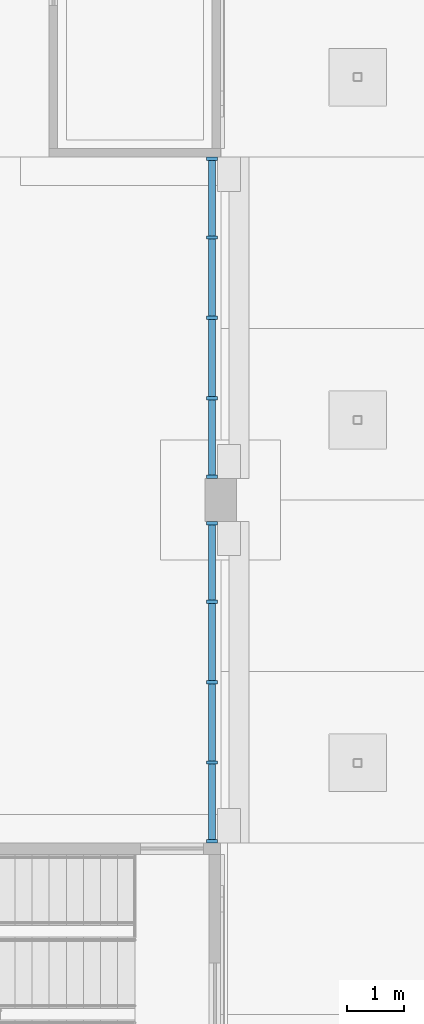
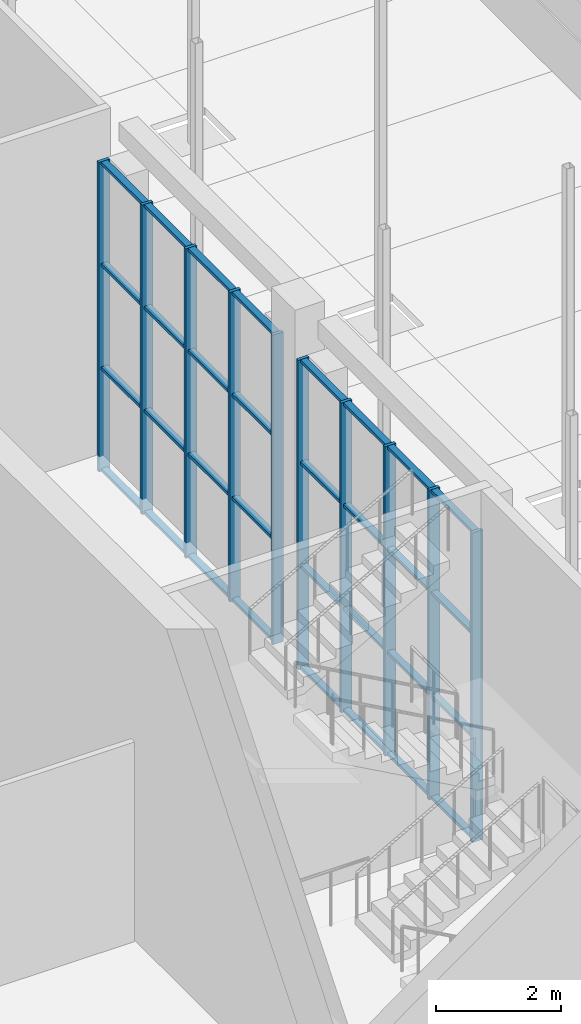
# One storey, part 23 of 95: 42 members, 2 elements without a shape of their own.
"""IFC4 building model written with IfcOpenShell, lengths in metres."""

from ifc_helpers import new_model, si_unit, direction, frame, origin, origin_2d, place, context, subcontext, project, spatial, rectangle, extrude, material, material_profile, profile_set, type_object, element, aggregate, save


model = new_model("IFC4")

# Units and contexts
model_context = context("Model", 3, precision=1e-05, world=origin(), true_north=direction((0.0, 1.0)))
body_context = subcontext(model_context, "Body", "Model", "MODEL_VIEW")
ifc_project = project(units=[si_unit("LENGTHUNIT", "METRE"), si_unit("AREAUNIT", "SQUARE_METRE"), si_unit("VOLUMEUNIT", "CUBIC_METRE"), si_unit("PLANEANGLEUNIT", "RADIAN"), si_unit("MASSUNIT", "GRAM", prefix="KILO")], contexts=[model_context])

# Site, building, storey
site_placement = place(None, origin())
site = spatial("IfcSite", under=ifc_project, at=site_placement, CompositionType="ELEMENT")
building_placement = place(site_placement, origin())
building = spatial("IfcBuilding", under=site, at=building_placement, Name="Saffron Lane Theatres", CompositionType="ELEMENT")
storey_placement = place(building_placement, origin())
storey = spatial("IfcBuildingStorey", under=building, at=storey_placement, Name="L00", CompositionType="ELEMENT", Elevation=0.0)

# Curtain wall, members
ifc_material_1 = material(Name="Aluminium", Category="aluminium")
curtain_wall_type = type_object("IfcCurtainWallType", Name="EX-CURTAIN WALL 5620x6050x200", PredefinedType="NOTDEFINED", material=ifc_material_1)
curtain_wall_1_placement = place(storey_placement, origin())
curtain_wall_1 = element("IfcCurtainWall", 1, at=curtain_wall_1_placement, inside=storey, type_object=curtain_wall_type, Name="Curtain wall L00 07", PredefinedType="NOTDEFINED")
ifc_material_2 = material(Name="Aluminium", Category="aluminium")
ifc_material_profile_1 = material_profile(ifc_material_2, rectangle(XDim=0.06005859375, YDim=0.199951171875, at=origin_2d()))
ifc_profile_set_1 = profile_set([ifc_material_profile_1], Name="Aluminium")
member_type_1 = type_object("IfcMemberType", Name="EX-CW MULLION 60x200", PredefinedType="MULLION", material=ifc_profile_set_1)
member_1_placement = place(storey_placement, frame((53.85009765625, 53.969970703125, 0.0), z_axis=(0.0, 0.0, 1.0), x_axis=(0.0, -1.0, 0.0)))
member_1 = element("IfcMember", 2, at=member_1_placement, type_object=member_type_1, Name="CW-00-07 mullion 1", PredefinedType="MULLION", context=body_context, shape_type="SweptSolid", body=[
    extrude(rectangle(XDim=0.06005859375, YDim=0.199951171875, at=origin_2d()), origin(), (0.0, 0.0, 1.0), 6.050048828125),
])
member_2_placement = place(storey_placement, frame((53.85009765625, 52.59375, 0.0), z_axis=(0.0, 0.0, 1.0), x_axis=(0.0, -1.0, 0.0)))
member_2 = element("IfcMember", 3, at=member_2_placement, type_object=member_type_1, Name="CW-00-07 mullion 2", PredefinedType="MULLION", context=body_context, shape_type="SweptSolid", body=[
    extrude(rectangle(XDim=0.06005859375, YDim=0.199951171875, at=origin_2d()), origin(), (0.0, 0.0, 1.0), 6.050048828125),
])
member_3_placement = place(storey_placement, frame((53.85009765625, 51.1875, 0.0), z_axis=(0.0, 0.0, 1.0), x_axis=(0.0, -1.0, 0.0)))
member_3 = element("IfcMember", 4, at=member_3_placement, type_object=member_type_1, Name="CW-00-07 mullion 3", PredefinedType="MULLION", context=body_context, shape_type="SweptSolid", body=[
    extrude(rectangle(XDim=0.06005859375, YDim=0.199951171875, at=origin_2d()), origin(), (0.0, 0.0, 1.0), 6.050048828125),
])
member_4_placement = place(storey_placement, frame((53.85009765625, 49.78125, 0.0), z_axis=(0.0, 0.0, 1.0), x_axis=(0.0, -1.0, 0.0)))
member_4 = element("IfcMember", 5, at=member_4_placement, type_object=member_type_1, Name="CW-00-07 mullion 4", PredefinedType="MULLION", context=body_context, shape_type="SweptSolid", body=[
    extrude(rectangle(XDim=0.06005859375, YDim=0.199951171875, at=origin_2d()), origin(), (0.0, 0.0, 1.0), 6.050048828125),
])
member_5_placement = place(storey_placement, frame((53.85009765625, 48.405029296875, 0.0), z_axis=(0.0, 0.0, 1.0), x_axis=(0.0, -1.0, 0.0)))
member_5 = element("IfcMember", 6, at=member_5_placement, type_object=member_type_1, Name="CW-00-07 mullion 5", PredefinedType="MULLION", context=body_context, shape_type="SweptSolid", body=[
    extrude(rectangle(XDim=0.06005859375, YDim=0.199951171875, at=origin_2d()), origin(), (0.0, 0.0, 1.0), 6.050048828125),
])

curtain_wall_2_placement = place(storey_placement, origin())
curtain_wall_2 = element("IfcCurtainWall", 7, at=curtain_wall_2_placement, inside=storey, type_object=curtain_wall_type, Name="Curtain wall L00 08", PredefinedType="NOTDEFINED")
member_6_placement = place(storey_placement, frame((53.85009765625, 47.594970703125, 0.0), z_axis=(0.0, 0.0, 1.0), x_axis=(0.0, -1.0, 0.0)))
member_6 = element("IfcMember", 8, at=member_6_placement, type_object=member_type_1, Name="CW-00-08 mullion 1", PredefinedType="MULLION", context=body_context, shape_type="SweptSolid", body=[
    extrude(rectangle(XDim=0.06005859375, YDim=0.199951171875, at=origin_2d()), origin(), (0.0, 0.0, 1.0), 6.050048828125),
])
member_7_placement = place(storey_placement, frame((53.85009765625, 46.21875, 0.0), z_axis=(0.0, 0.0, 1.0), x_axis=(0.0, -1.0, 0.0)))
member_7 = element("IfcMember", 9, at=member_7_placement, type_object=member_type_1, Name="CW-00-08 mullion 2", PredefinedType="MULLION", context=body_context, shape_type="SweptSolid", body=[
    extrude(rectangle(XDim=0.06005859375, YDim=0.199951171875, at=origin_2d()), origin(), (0.0, 0.0, 1.0), 6.050048828125),
])
member_8_placement = place(storey_placement, frame((53.85009765625, 44.8125, 0.0), z_axis=(0.0, 0.0, 1.0), x_axis=(0.0, -1.0, 0.0)))
member_8 = element("IfcMember", 10, at=member_8_placement, type_object=member_type_1, Name="CW-00-08 mullion 3", PredefinedType="MULLION", context=body_context, shape_type="SweptSolid", body=[
    extrude(rectangle(XDim=0.06005859375, YDim=0.199951171875, at=origin_2d()), origin(), (0.0, 0.0, 1.0), 6.050048828125),
])
member_9_placement = place(storey_placement, frame((53.85009765625, 43.40625, 0.0), z_axis=(0.0, 0.0, 1.0), x_axis=(0.0, -1.0, 0.0)))
member_9 = element("IfcMember", 11, at=member_9_placement, type_object=member_type_1, Name="CW-00-08 mullion 4", PredefinedType="MULLION", context=body_context, shape_type="SweptSolid", body=[
    extrude(rectangle(XDim=0.06005859375, YDim=0.199951171875, at=origin_2d()), origin(), (0.0, 0.0, 1.0), 6.050048828125),
])
member_10_placement = place(storey_placement, frame((53.85009765625, 42.030029296875, 0.0), z_axis=(0.0, 0.0, 1.0), x_axis=(0.0, -1.0, 0.0)))
member_10 = element("IfcMember", 12, at=member_10_placement, type_object=member_type_1, Name="CW-00-08 mullion 5", PredefinedType="MULLION", context=body_context, shape_type="SweptSolid", body=[
    extrude(rectangle(XDim=0.06005859375, YDim=0.199951171875, at=origin_2d()), origin(), (0.0, 0.0, 1.0), 6.050048828125),
])

# Member
ifc_material_3 = material(Name="Aluminium", Category="aluminium")
ifc_material_profile_2 = material_profile(ifc_material_3, rectangle(XDim=0.1201171875, YDim=0.06005859375, at=origin_2d()))
ifc_profile_set_2 = profile_set([ifc_material_profile_2], Name="Aluminium")
member_type_2 = type_object("IfcMemberType", Name="EX-CW TRANSOM 120x60", PredefinedType="USERDEFINED", material=ifc_profile_set_2)
member_11_placement = place(storey_placement, frame((53.85009765625, 53.93994140625, 0.030029296875), z_axis=(0.0, -1.0, 0.0), x_axis=(1.0, 0.0, 0.0)))
member_11 = element("IfcMember", 13, at=member_11_placement, type_object=member_type_2, Name="CW-00-07 transom 1.1", ObjectType="TRANSOM", PredefinedType="USERDEFINED", context=body_context, shape_type="SweptSolid", body=[
    extrude(rectangle(XDim=0.1201171875, YDim=0.06005859375, at=origin_2d()), origin(), (0.0, 0.0, 1.0), 1.316162109375),
])

member_12_placement = place(storey_placement, frame((53.85009765625, 53.93994140625, 2.0166015625), z_axis=(0.0, -1.0, 0.0), x_axis=(1.0, 0.0, 0.0)))
member_12 = element("IfcMember", 14, at=member_12_placement, type_object=member_type_2, Name="CW-00-07 transom 1.2", ObjectType="TRANSOM", PredefinedType="USERDEFINED", context=body_context, shape_type="SweptSolid", body=[
    extrude(rectangle(XDim=0.1201171875, YDim=0.06005859375, at=origin_2d()), origin(), (0.0, 0.0, 1.0), 1.316162109375),
])

member_13_placement = place(storey_placement, frame((53.85009765625, 53.93994140625, 4.033447265625), z_axis=(0.0, -1.0, 0.0), x_axis=(1.0, 0.0, 0.0)))
member_13 = element("IfcMember", 15, at=member_13_placement, type_object=member_type_2, Name="CW-00-07 transom 1.3", ObjectType="TRANSOM", PredefinedType="USERDEFINED", context=body_context, shape_type="SweptSolid", body=[
    extrude(rectangle(XDim=0.1201171875, YDim=0.06005859375, at=origin_2d()), origin(), (0.0, 0.0, 1.0), 1.316162109375),
])

member_14_placement = place(storey_placement, frame((53.85009765625, 53.93994140625, 6.02001953125), z_axis=(0.0, -1.0, 0.0), x_axis=(1.0, 0.0, 0.0)))
member_14 = element("IfcMember", 16, at=member_14_placement, type_object=member_type_2, Name="CW-00-07 transom 1.4", ObjectType="TRANSOM", PredefinedType="USERDEFINED", context=body_context, shape_type="SweptSolid", body=[
    extrude(rectangle(XDim=0.1201171875, YDim=0.06005859375, at=origin_2d()), origin(), (0.0, 0.0, 1.0), 1.316162109375),
])

member_15_placement = place(storey_placement, frame((53.85009765625, 52.563720703125, 0.030029296875), z_axis=(0.0, -1.0, 0.0), x_axis=(1.0, 0.0, 0.0)))
member_15 = element("IfcMember", 17, at=member_15_placement, type_object=member_type_2, Name="CW-00-07 transom 2.1", ObjectType="TRANSOM", PredefinedType="USERDEFINED", context=body_context, shape_type="SweptSolid", body=[
    extrude(rectangle(XDim=0.1201171875, YDim=0.06005859375, at=origin_2d()), origin(), (0.0, 0.0, 1.0), 1.34619140625),
])

member_16_placement = place(storey_placement, frame((53.85009765625, 52.563720703125, 2.0166015625), z_axis=(0.0, -1.0, 0.0), x_axis=(1.0, 0.0, 0.0)))
member_16 = element("IfcMember", 18, at=member_16_placement, type_object=member_type_2, Name="CW-00-07 transom 2.2", ObjectType="TRANSOM", PredefinedType="USERDEFINED", context=body_context, shape_type="SweptSolid", body=[
    extrude(rectangle(XDim=0.1201171875, YDim=0.06005859375, at=origin_2d()), origin(), (0.0, 0.0, 1.0), 1.34619140625),
])

member_17_placement = place(storey_placement, frame((53.85009765625, 52.563720703125, 4.033447265625), z_axis=(0.0, -1.0, 0.0), x_axis=(1.0, 0.0, 0.0)))
member_17 = element("IfcMember", 19, at=member_17_placement, type_object=member_type_2, Name="CW-00-07 transom 2.3", ObjectType="TRANSOM", PredefinedType="USERDEFINED", context=body_context, shape_type="SweptSolid", body=[
    extrude(rectangle(XDim=0.1201171875, YDim=0.06005859375, at=origin_2d()), origin(), (0.0, 0.0, 1.0), 1.34619140625),
])

member_18_placement = place(storey_placement, frame((53.85009765625, 52.563720703125, 6.02001953125), z_axis=(0.0, -1.0, 0.0), x_axis=(1.0, 0.0, 0.0)))
member_18 = element("IfcMember", 20, at=member_18_placement, type_object=member_type_2, Name="CW-00-07 transom 2.4", ObjectType="TRANSOM", PredefinedType="USERDEFINED", context=body_context, shape_type="SweptSolid", body=[
    extrude(rectangle(XDim=0.1201171875, YDim=0.06005859375, at=origin_2d()), origin(), (0.0, 0.0, 1.0), 1.34619140625),
])

member_19_placement = place(storey_placement, frame((53.85009765625, 51.157470703125, 0.030029296875), z_axis=(0.0, -1.0, 0.0), x_axis=(1.0, 0.0, 0.0)))
member_19 = element("IfcMember", 21, at=member_19_placement, type_object=member_type_2, Name="CW-00-07 transom 3.1", ObjectType="TRANSOM", PredefinedType="USERDEFINED", context=body_context, shape_type="SweptSolid", body=[
    extrude(rectangle(XDim=0.1201171875, YDim=0.06005859375, at=origin_2d()), origin(), (0.0, 0.0, 1.0), 1.34619140625),
])

member_20_placement = place(storey_placement, frame((53.85009765625, 51.157470703125, 2.0166015625), z_axis=(0.0, -1.0, 0.0), x_axis=(1.0, 0.0, 0.0)))
member_20 = element("IfcMember", 22, at=member_20_placement, type_object=member_type_2, Name="CW-00-07 transom 3.2", ObjectType="TRANSOM", PredefinedType="USERDEFINED", context=body_context, shape_type="SweptSolid", body=[
    extrude(rectangle(XDim=0.1201171875, YDim=0.06005859375, at=origin_2d()), origin(), (0.0, 0.0, 1.0), 1.34619140625),
])

member_21_placement = place(storey_placement, frame((53.85009765625, 51.157470703125, 4.033447265625), z_axis=(0.0, -1.0, 0.0), x_axis=(1.0, 0.0, 0.0)))
member_21 = element("IfcMember", 23, at=member_21_placement, type_object=member_type_2, Name="CW-00-07 transom 3.3", ObjectType="TRANSOM", PredefinedType="USERDEFINED", context=body_context, shape_type="SweptSolid", body=[
    extrude(rectangle(XDim=0.1201171875, YDim=0.06005859375, at=origin_2d()), origin(), (0.0, 0.0, 1.0), 1.34619140625),
])

member_22_placement = place(storey_placement, frame((53.85009765625, 51.157470703125, 6.02001953125), z_axis=(0.0, -1.0, 0.0), x_axis=(1.0, 0.0, 0.0)))
member_22 = element("IfcMember", 24, at=member_22_placement, type_object=member_type_2, Name="CW-00-07 transom 3.4", ObjectType="TRANSOM", PredefinedType="USERDEFINED", context=body_context, shape_type="SweptSolid", body=[
    extrude(rectangle(XDim=0.1201171875, YDim=0.06005859375, at=origin_2d()), origin(), (0.0, 0.0, 1.0), 1.34619140625),
])

member_23_placement = place(storey_placement, frame((53.85009765625, 49.751220703125, 0.030029296875), z_axis=(0.0, -1.0, 0.0), x_axis=(1.0, 0.0, 0.0)))
member_23 = element("IfcMember", 25, at=member_23_placement, type_object=member_type_2, Name="CW-00-07 transom 4.1", ObjectType="TRANSOM", PredefinedType="USERDEFINED", context=body_context, shape_type="SweptSolid", body=[
    extrude(rectangle(XDim=0.1201171875, YDim=0.06005859375, at=origin_2d()), origin(), (0.0, 0.0, 1.0), 1.316162109375),
])

member_24_placement = place(storey_placement, frame((53.85009765625, 49.751220703125, 2.0166015625), z_axis=(0.0, -1.0, 0.0), x_axis=(1.0, 0.0, 0.0)))
member_24 = element("IfcMember", 26, at=member_24_placement, type_object=member_type_2, Name="CW-00-07 transom 4.2", ObjectType="TRANSOM", PredefinedType="USERDEFINED", context=body_context, shape_type="SweptSolid", body=[
    extrude(rectangle(XDim=0.1201171875, YDim=0.06005859375, at=origin_2d()), origin(), (0.0, 0.0, 1.0), 1.316162109375),
])

member_25_placement = place(storey_placement, frame((53.85009765625, 49.751220703125, 4.033447265625), z_axis=(0.0, -1.0, 0.0), x_axis=(1.0, 0.0, 0.0)))
member_25 = element("IfcMember", 27, at=member_25_placement, type_object=member_type_2, Name="CW-00-07 transom 4.3", ObjectType="TRANSOM", PredefinedType="USERDEFINED", context=body_context, shape_type="SweptSolid", body=[
    extrude(rectangle(XDim=0.1201171875, YDim=0.06005859375, at=origin_2d()), origin(), (0.0, 0.0, 1.0), 1.316162109375),
])

member_26_placement = place(storey_placement, frame((53.85009765625, 49.751220703125, 6.02001953125), z_axis=(0.0, -1.0, 0.0), x_axis=(1.0, 0.0, 0.0)))
member_26 = element("IfcMember", 28, at=member_26_placement, type_object=member_type_2, Name="CW-00-07 transom 4.4", ObjectType="TRANSOM", PredefinedType="USERDEFINED", context=body_context, shape_type="SweptSolid", body=[
    extrude(rectangle(XDim=0.1201171875, YDim=0.06005859375, at=origin_2d()), origin(), (0.0, 0.0, 1.0), 1.316162109375),
])

aggregate(curtain_wall_1, [member_1, member_2, member_3, member_4, member_5, member_11, member_12, member_13, member_14, member_15, member_16, member_17, member_18, member_19, member_20, member_21, member_22, member_23, member_24, member_25, member_26])

member_27_placement = place(storey_placement, frame((53.85009765625, 47.56494140625, 0.030029296875), z_axis=(0.0, -1.0, 0.0), x_axis=(1.0, 0.0, 0.0)))
member_27 = element("IfcMember", 29, at=member_27_placement, type_object=member_type_2, Name="CW-00-08 transom 1.1", ObjectType="TRANSOM", PredefinedType="USERDEFINED", context=body_context, shape_type="SweptSolid", body=[
    extrude(rectangle(XDim=0.1201171875, YDim=0.06005859375, at=origin_2d()), origin(), (0.0, 0.0, 1.0), 1.316162109375),
])

member_28_placement = place(storey_placement, frame((53.85009765625, 47.56494140625, 2.0166015625), z_axis=(0.0, -1.0, 0.0), x_axis=(1.0, 0.0, 0.0)))
member_28 = element("IfcMember", 30, at=member_28_placement, type_object=member_type_2, Name="CW-00-08 transom 1.2", ObjectType="TRANSOM", PredefinedType="USERDEFINED", context=body_context, shape_type="SweptSolid", body=[
    extrude(rectangle(XDim=0.1201171875, YDim=0.06005859375, at=origin_2d()), origin(), (0.0, 0.0, 1.0), 1.316162109375),
])

member_29_placement = place(storey_placement, frame((53.85009765625, 47.56494140625, 4.033447265625), z_axis=(0.0, -1.0, 0.0), x_axis=(1.0, 0.0, 0.0)))
member_29 = element("IfcMember", 31, at=member_29_placement, type_object=member_type_2, Name="CW-00-08 transom 1.3", ObjectType="TRANSOM", PredefinedType="USERDEFINED", context=body_context, shape_type="SweptSolid", body=[
    extrude(rectangle(XDim=0.1201171875, YDim=0.06005859375, at=origin_2d()), origin(), (0.0, 0.0, 1.0), 1.316162109375),
])

member_30_placement = place(storey_placement, frame((53.85009765625, 47.56494140625, 6.02001953125), z_axis=(0.0, -1.0, 0.0), x_axis=(1.0, 0.0, 0.0)))
member_30 = element("IfcMember", 32, at=member_30_placement, type_object=member_type_2, Name="CW-00-08 transom 1.4", ObjectType="TRANSOM", PredefinedType="USERDEFINED", context=body_context, shape_type="SweptSolid", body=[
    extrude(rectangle(XDim=0.1201171875, YDim=0.06005859375, at=origin_2d()), origin(), (0.0, 0.0, 1.0), 1.316162109375),
])

member_31_placement = place(storey_placement, frame((53.85009765625, 46.188720703125, 0.030029296875), z_axis=(0.0, -1.0, 0.0), x_axis=(1.0, 0.0, 0.0)))
member_31 = element("IfcMember", 33, at=member_31_placement, type_object=member_type_2, Name="CW-00-08 transom 2.1", ObjectType="TRANSOM", PredefinedType="USERDEFINED", context=body_context, shape_type="SweptSolid", body=[
    extrude(rectangle(XDim=0.1201171875, YDim=0.06005859375, at=origin_2d()), origin(), (0.0, 0.0, 1.0), 1.34619140625),
])

member_32_placement = place(storey_placement, frame((53.85009765625, 46.188720703125, 2.0166015625), z_axis=(0.0, -1.0, 0.0), x_axis=(1.0, 0.0, 0.0)))
member_32 = element("IfcMember", 34, at=member_32_placement, type_object=member_type_2, Name="CW-00-08 transom 2.2", ObjectType="TRANSOM", PredefinedType="USERDEFINED", context=body_context, shape_type="SweptSolid", body=[
    extrude(rectangle(XDim=0.1201171875, YDim=0.06005859375, at=origin_2d()), origin(), (0.0, 0.0, 1.0), 1.34619140625),
])

member_33_placement = place(storey_placement, frame((53.85009765625, 46.188720703125, 4.033447265625), z_axis=(0.0, -1.0, 0.0), x_axis=(1.0, 0.0, 0.0)))
member_33 = element("IfcMember", 35, at=member_33_placement, type_object=member_type_2, Name="CW-00-08 transom 2.3", ObjectType="TRANSOM", PredefinedType="USERDEFINED", context=body_context, shape_type="SweptSolid", body=[
    extrude(rectangle(XDim=0.1201171875, YDim=0.06005859375, at=origin_2d()), origin(), (0.0, 0.0, 1.0), 1.34619140625),
])

member_34_placement = place(storey_placement, frame((53.85009765625, 46.188720703125, 6.02001953125), z_axis=(0.0, -1.0, 0.0), x_axis=(1.0, 0.0, 0.0)))
member_34 = element("IfcMember", 36, at=member_34_placement, type_object=member_type_2, Name="CW-00-08 transom 2.4", ObjectType="TRANSOM", PredefinedType="USERDEFINED", context=body_context, shape_type="SweptSolid", body=[
    extrude(rectangle(XDim=0.1201171875, YDim=0.06005859375, at=origin_2d()), origin(), (0.0, 0.0, 1.0), 1.34619140625),
])

member_35_placement = place(storey_placement, frame((53.85009765625, 44.782470703125, 0.030029296875), z_axis=(0.0, -1.0, 0.0), x_axis=(1.0, 0.0, 0.0)))
member_35 = element("IfcMember", 37, at=member_35_placement, type_object=member_type_2, Name="CW-00-08 transom 3.1", ObjectType="TRANSOM", PredefinedType="USERDEFINED", context=body_context, shape_type="SweptSolid", body=[
    extrude(rectangle(XDim=0.1201171875, YDim=0.06005859375, at=origin_2d()), origin(), (0.0, 0.0, 1.0), 1.34619140625),
])

member_36_placement = place(storey_placement, frame((53.85009765625, 44.782470703125, 2.0166015625), z_axis=(0.0, -1.0, 0.0), x_axis=(1.0, 0.0, 0.0)))
member_36 = element("IfcMember", 38, at=member_36_placement, type_object=member_type_2, Name="CW-00-08 transom 3.2", ObjectType="TRANSOM", PredefinedType="USERDEFINED", context=body_context, shape_type="SweptSolid", body=[
    extrude(rectangle(XDim=0.1201171875, YDim=0.06005859375, at=origin_2d()), origin(), (0.0, 0.0, 1.0), 1.34619140625),
])

member_37_placement = place(storey_placement, frame((53.85009765625, 44.782470703125, 4.033447265625), z_axis=(0.0, -1.0, 0.0), x_axis=(1.0, 0.0, 0.0)))
member_37 = element("IfcMember", 39, at=member_37_placement, type_object=member_type_2, Name="CW-00-08 transom 3.3", ObjectType="TRANSOM", PredefinedType="USERDEFINED", context=body_context, shape_type="SweptSolid", body=[
    extrude(rectangle(XDim=0.1201171875, YDim=0.06005859375, at=origin_2d()), origin(), (0.0, 0.0, 1.0), 1.34619140625),
])

member_38_placement = place(storey_placement, frame((53.85009765625, 44.782470703125, 6.02001953125), z_axis=(0.0, -1.0, 0.0), x_axis=(1.0, 0.0, 0.0)))
member_38 = element("IfcMember", 40, at=member_38_placement, type_object=member_type_2, Name="CW-00-08 transom 3.4", ObjectType="TRANSOM", PredefinedType="USERDEFINED", context=body_context, shape_type="SweptSolid", body=[
    extrude(rectangle(XDim=0.1201171875, YDim=0.06005859375, at=origin_2d()), origin(), (0.0, 0.0, 1.0), 1.34619140625),
])

member_39_placement = place(storey_placement, frame((53.85009765625, 43.376220703125, 0.030029296875), z_axis=(0.0, -1.0, 0.0), x_axis=(1.0, 0.0, 0.0)))
member_39 = element("IfcMember", 41, at=member_39_placement, type_object=member_type_2, Name="CW-00-08 transom 4.1", ObjectType="TRANSOM", PredefinedType="USERDEFINED", context=body_context, shape_type="SweptSolid", body=[
    extrude(rectangle(XDim=0.1201171875, YDim=0.06005859375, at=origin_2d()), origin(), (0.0, 0.0, 1.0), 1.316162109375),
])

member_40_placement = place(storey_placement, frame((53.85009765625, 43.376220703125, 2.0166015625), z_axis=(0.0, -1.0, 0.0), x_axis=(1.0, 0.0, 0.0)))
member_40 = element("IfcMember", 42, at=member_40_placement, type_object=member_type_2, Name="CW-00-08 transom 4.2", ObjectType="TRANSOM", PredefinedType="USERDEFINED", context=body_context, shape_type="SweptSolid", body=[
    extrude(rectangle(XDim=0.1201171875, YDim=0.06005859375, at=origin_2d()), origin(), (0.0, 0.0, 1.0), 1.316162109375),
])

member_41_placement = place(storey_placement, frame((53.85009765625, 43.376220703125, 4.033447265625), z_axis=(0.0, -1.0, 0.0), x_axis=(1.0, 0.0, 0.0)))
member_41 = element("IfcMember", 43, at=member_41_placement, type_object=member_type_2, Name="CW-00-08 transom 4.3", ObjectType="TRANSOM", PredefinedType="USERDEFINED", context=body_context, shape_type="SweptSolid", body=[
    extrude(rectangle(XDim=0.1201171875, YDim=0.06005859375, at=origin_2d()), origin(), (0.0, 0.0, 1.0), 1.316162109375),
])

member_42_placement = place(storey_placement, frame((53.85009765625, 43.376220703125, 6.02001953125), z_axis=(0.0, -1.0, 0.0), x_axis=(1.0, 0.0, 0.0)))
member_42 = element("IfcMember", 44, at=member_42_placement, type_object=member_type_2, Name="CW-00-08 transom 4.4", ObjectType="TRANSOM", PredefinedType="USERDEFINED", context=body_context, shape_type="SweptSolid", body=[
    extrude(rectangle(XDim=0.1201171875, YDim=0.06005859375, at=origin_2d()), origin(), (0.0, 0.0, 1.0), 1.316162109375),
])

aggregate(curtain_wall_2, [member_6, member_7, member_8, member_9, member_10, member_27, member_28, member_29, member_30, member_31, member_32, member_33, member_34, member_35, member_36, member_37, member_38, member_39, member_40, member_41, member_42])

save(model, "model.ifc")
